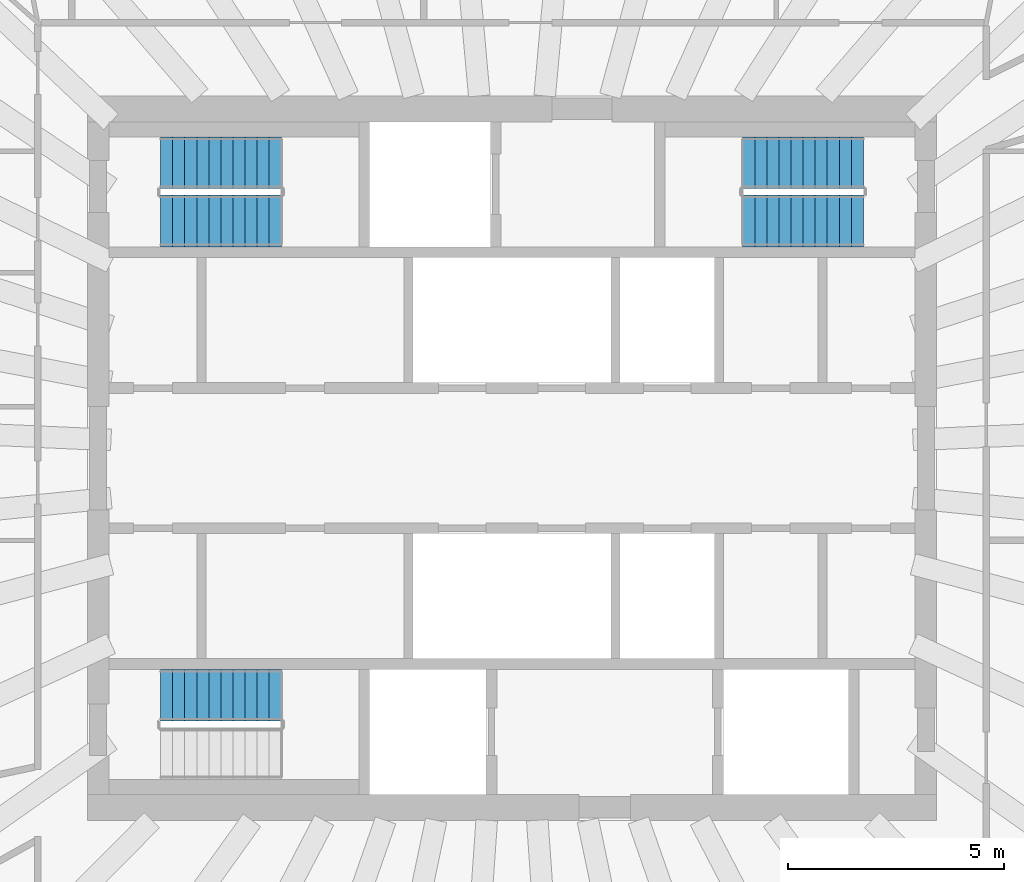
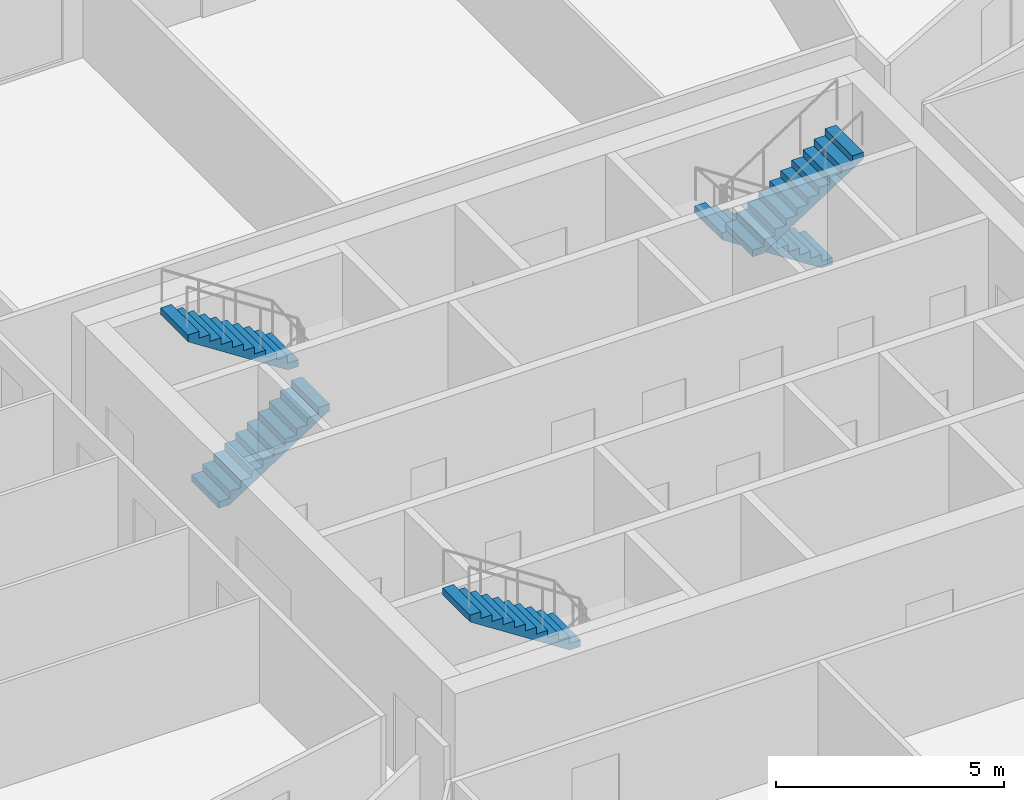
# One storey, part 8 of 12: 5 stair flights, 3 elements without a shape of their own.
"""IFC4 building model written with IfcOpenShell, lengths in metres."""

from ifc_helpers import new_model, si_unit, direction, frame, origin, place, context, subcontext, project, spatial, polyline, outline, extrude, material, layer, layer_set, type_object, element, aggregate, save


model = new_model("IFC4")

# Units and contexts
model_context = context("Model", 3, precision=1e-05, world=origin(), true_north=direction((0.0, 1.0)))
body_context = subcontext(model_context, "Body", "Model", "MODEL_VIEW")
ifc_project = project(units=[si_unit("LENGTHUNIT", "METRE"), si_unit("AREAUNIT", "SQUARE_METRE"), si_unit("VOLUMEUNIT", "CUBIC_METRE"), si_unit("PLANEANGLEUNIT", "RADIAN"), si_unit("MASSUNIT", "GRAM", prefix="KILO")], contexts=[model_context])

# Site, building, storey
site_placement = place(None, origin())
site = spatial("IfcSite", under=ifc_project, at=site_placement, CompositionType="ELEMENT")
building_placement = place(site_placement, origin())
building = spatial("IfcBuilding", under=site, at=building_placement, Name="Frailejon Research Tower", CompositionType="ELEMENT")
storey_placement = place(building_placement, frame((0.0, 0.0, 249.39990234375)))
storey = spatial("IfcBuildingStorey", under=building, at=storey_placement, Name="L54", CompositionType="ELEMENT", Elevation=249.39990234375)

# Stair, stair flights
ifc_material_1 = material(Name="Concrete C50/60", Category="concrete")
stair_type = type_object("IfcStairType", Name="Exit stair 22 risers", PredefinedType="HALF_TURN_STAIR", material=ifc_material_1)
stair_1_placement = place(storey_placement, origin())
stair_1 = element("IfcStair", 1, at=stair_1_placement, inside=storey, type_object=stair_type, Name="L54 Exit stair ST1", PredefinedType="HALF_TURN_STAIR")
ifc_material_2 = material(Name="Concrete C50/60", Category="concrete")
ifc_layer = layer(ifc_material_2, 0.14990234375)
ifc_layer_set = layer_set([ifc_layer], Name="Stair flight 11 risers")
stair_flight_type = type_object("IfcStairFlightType", Name="Stair flight 11 risers", PredefinedType="STRAIGHT", material=ifc_layer_set)
stair_flight_1_placement = place(storey_placement, frame((-8.14990234375, 5.5, 0.0), z_axis=(0.0, 0.0, 1.0), x_axis=(1.0, 0.0, 0.0)))
stair_flight_1 = element("IfcStairFlight", 2, at=stair_flight_1_placement, type_object=stair_flight_type, Name="ST1 flight 1", NumberOfRisers=11, NumberOfTreads=10, PredefinedType="STRAIGHT", RiserHeight=0.181818182, TreadLength=0.28, context=body_context, shape_type="SweptSolid", body=[
    extrude(outline(polyline([(0.0, 0.0), (0.0, 0.181884765625), (0.280029296875, 0.181884765625), (0.280029296875, 0.363525390625), (0.56005859375, 0.363525390625), (0.56005859375, 0.54541015625), (0.840087890625, 0.54541015625), (0.840087890625, 0.727294921875), (1.1201171875, 0.727294921875), (1.1201171875, 0.9091796875), (1.39990234375, 0.9091796875), (1.39990234375, 1.0908203125), (1.679931640625, 1.0908203125), (1.679931640625, 1.272705078125), (1.9599609375, 1.272705078125), (1.9599609375, 1.45458984375), (2.239990234375, 1.45458984375), (2.239990234375, 1.636474609375), (2.52001953125, 1.636474609375), (2.52001953125, 1.818115234375), (2.800048828125, 1.818115234375), (2.800048828125, 2.0), (2.800048828125, 1.639404296875), (0.275146484375, 0.0), (0.0, 0.0)])), frame((0.0, 0.60009765625, 0.0), z_axis=(0.0, -1.0, 0.0), x_axis=(1.0, 0.0, 0.0)), (0.0, 0.0, 1.0), 1.199951171875),
])
stair_flight_2_placement = place(storey_placement, frame((-5.35009765625, 6.85009765625, 2.0), z_axis=(0.0, 0.0, 1.0), x_axis=(-1.0, 0.0, 0.0)))
stair_flight_2 = element("IfcStairFlight", 3, at=stair_flight_2_placement, type_object=stair_flight_type, Name="ST1 flight 2", NumberOfRisers=11, NumberOfTreads=10, PredefinedType="STRAIGHT", RiserHeight=0.181818182, TreadLength=0.28, context=body_context, shape_type="SweptSolid", body=[
    extrude(outline(polyline([(0.0, 0.0), (0.0, 0.181884765625), (0.280029296875, 0.181884765625), (0.280029296875, 0.363525390625), (0.56005859375, 0.363525390625), (0.56005859375, 0.54541015625), (0.840087890625, 0.54541015625), (0.840087890625, 0.727294921875), (1.1201171875, 0.727294921875), (1.1201171875, 0.9091796875), (1.39990234375, 0.9091796875), (1.39990234375, 1.0908203125), (1.679931640625, 1.0908203125), (1.679931640625, 1.272705078125), (1.9599609375, 1.272705078125), (1.9599609375, 1.45458984375), (2.239990234375, 1.45458984375), (2.239990234375, 1.636474609375), (2.52001953125, 1.636474609375), (2.52001953125, 1.818115234375), (2.800048828125, 1.818115234375), (2.800048828125, 2.0), (2.800048828125, 1.639404296875), (0.275146484375, 0.0), (0.0, 0.0)])), frame((0.0, 0.60009765625, 0.0), z_axis=(0.0, -1.0, 0.0), x_axis=(1.0, 0.0, 0.0)), (0.0, 0.0, 1.0), 1.199951171875),
])
aggregate(stair_1, [stair_flight_1, stair_flight_2])

# Stair, stair flight
stair_2_placement = place(storey_placement, origin())
stair_2 = element("IfcStair", 4, at=stair_2_placement, inside=storey, type_object=stair_type, Name="L54 Exit stair ST2", PredefinedType="HALF_TURN_STAIR")
stair_flight_3_placement = place(storey_placement, frame((-5.35009765625, -5.5, 2.0), z_axis=(0.0, 0.0, 1.0), x_axis=(-1.0, 0.0, 0.0)))
stair_flight_3 = element("IfcStairFlight", 5, at=stair_flight_3_placement, type_object=stair_flight_type, Name="ST2 flight 2", NumberOfRisers=11, NumberOfTreads=10, PredefinedType="STRAIGHT", RiserHeight=0.181818182, TreadLength=0.28, context=body_context, shape_type="SweptSolid", body=[
    extrude(outline(polyline([(0.0, 0.0), (0.0, 0.181884765625), (0.280029296875, 0.181884765625), (0.280029296875, 0.363525390625), (0.56005859375, 0.363525390625), (0.56005859375, 0.54541015625), (0.840087890625, 0.54541015625), (0.840087890625, 0.727294921875), (1.1201171875, 0.727294921875), (1.1201171875, 0.9091796875), (1.39990234375, 0.9091796875), (1.39990234375, 1.0908203125), (1.679931640625, 1.0908203125), (1.679931640625, 1.272705078125), (1.9599609375, 1.272705078125), (1.9599609375, 1.45458984375), (2.239990234375, 1.45458984375), (2.239990234375, 1.636474609375), (2.52001953125, 1.636474609375), (2.52001953125, 1.818115234375), (2.800048828125, 1.818115234375), (2.800048828125, 2.0), (2.800048828125, 1.639404296875), (0.275146484375, 0.0), (0.0, 0.0)])), frame((0.0, 0.60009765625, 0.0), z_axis=(0.0, -1.0, 0.0), x_axis=(1.0, 0.0, 0.0)), (0.0, 0.0, 1.0), 1.199951171875),
])
aggregate(stair_2, [stair_flight_3])

# Stair, stair flights
stair_3_placement = place(storey_placement, origin())
stair_3 = element("IfcStair", 6, at=stair_3_placement, inside=storey, type_object=stair_type, Name="L54 Exit stair ST3", PredefinedType="HALF_TURN_STAIR")
stair_flight_4_placement = place(storey_placement, frame((8.14990234375, 6.85009765625, 0.0), z_axis=(0.0, 0.0, 1.0), x_axis=(-1.0, 0.0, 0.0)))
stair_flight_4 = element("IfcStairFlight", 7, at=stair_flight_4_placement, type_object=stair_flight_type, Name="ST3 flight 1", NumberOfRisers=11, NumberOfTreads=10, PredefinedType="STRAIGHT", RiserHeight=0.181818182, TreadLength=0.28, context=body_context, shape_type="SweptSolid", body=[
    extrude(outline(polyline([(0.0, 0.0), (0.0, 0.181884765625), (0.280029296875, 0.181884765625), (0.280029296875, 0.363525390625), (0.56005859375, 0.363525390625), (0.56005859375, 0.54541015625), (0.840087890625, 0.54541015625), (0.840087890625, 0.727294921875), (1.1201171875, 0.727294921875), (1.1201171875, 0.9091796875), (1.39990234375, 0.9091796875), (1.39990234375, 1.0908203125), (1.679931640625, 1.0908203125), (1.679931640625, 1.272705078125), (1.9599609375, 1.272705078125), (1.9599609375, 1.45458984375), (2.239990234375, 1.45458984375), (2.239990234375, 1.636474609375), (2.52001953125, 1.636474609375), (2.52001953125, 1.818115234375), (2.800048828125, 1.818115234375), (2.800048828125, 2.0), (2.800048828125, 1.639404296875), (0.275146484375, 0.0), (0.0, 0.0)])), frame((0.0, 0.60009765625, 0.0), z_axis=(0.0, -1.0, 0.0), x_axis=(1.0, 0.0, 0.0)), (0.0, 0.0, 1.0), 1.199951171875),
])
stair_flight_5_placement = place(storey_placement, frame((5.35009765625, 5.5, 2.0), z_axis=(0.0, 0.0, 1.0), x_axis=(1.0, 0.0, 0.0)))
stair_flight_5 = element("IfcStairFlight", 8, at=stair_flight_5_placement, type_object=stair_flight_type, Name="ST3 flight 2", NumberOfRisers=11, NumberOfTreads=10, PredefinedType="STRAIGHT", RiserHeight=0.181818182, TreadLength=0.28, context=body_context, shape_type="SweptSolid", body=[
    extrude(outline(polyline([(0.0, 0.0), (0.0, 0.181884765625), (0.280029296875, 0.181884765625), (0.280029296875, 0.363525390625), (0.56005859375, 0.363525390625), (0.56005859375, 0.54541015625), (0.840087890625, 0.54541015625), (0.840087890625, 0.727294921875), (1.1201171875, 0.727294921875), (1.1201171875, 0.9091796875), (1.39990234375, 0.9091796875), (1.39990234375, 1.0908203125), (1.679931640625, 1.0908203125), (1.679931640625, 1.272705078125), (1.9599609375, 1.272705078125), (1.9599609375, 1.45458984375), (2.239990234375, 1.45458984375), (2.239990234375, 1.636474609375), (2.52001953125, 1.636474609375), (2.52001953125, 1.818115234375), (2.800048828125, 1.818115234375), (2.800048828125, 2.0), (2.800048828125, 1.639404296875), (0.275146484375, 0.0), (0.0, 0.0)])), frame((0.0, 0.60009765625, 0.0), z_axis=(0.0, -1.0, 0.0), x_axis=(1.0, 0.0, 0.0)), (0.0, 0.0, 1.0), 1.199951171875),
])
aggregate(stair_3, [stair_flight_4, stair_flight_5])

save(model, "model.ifc")
